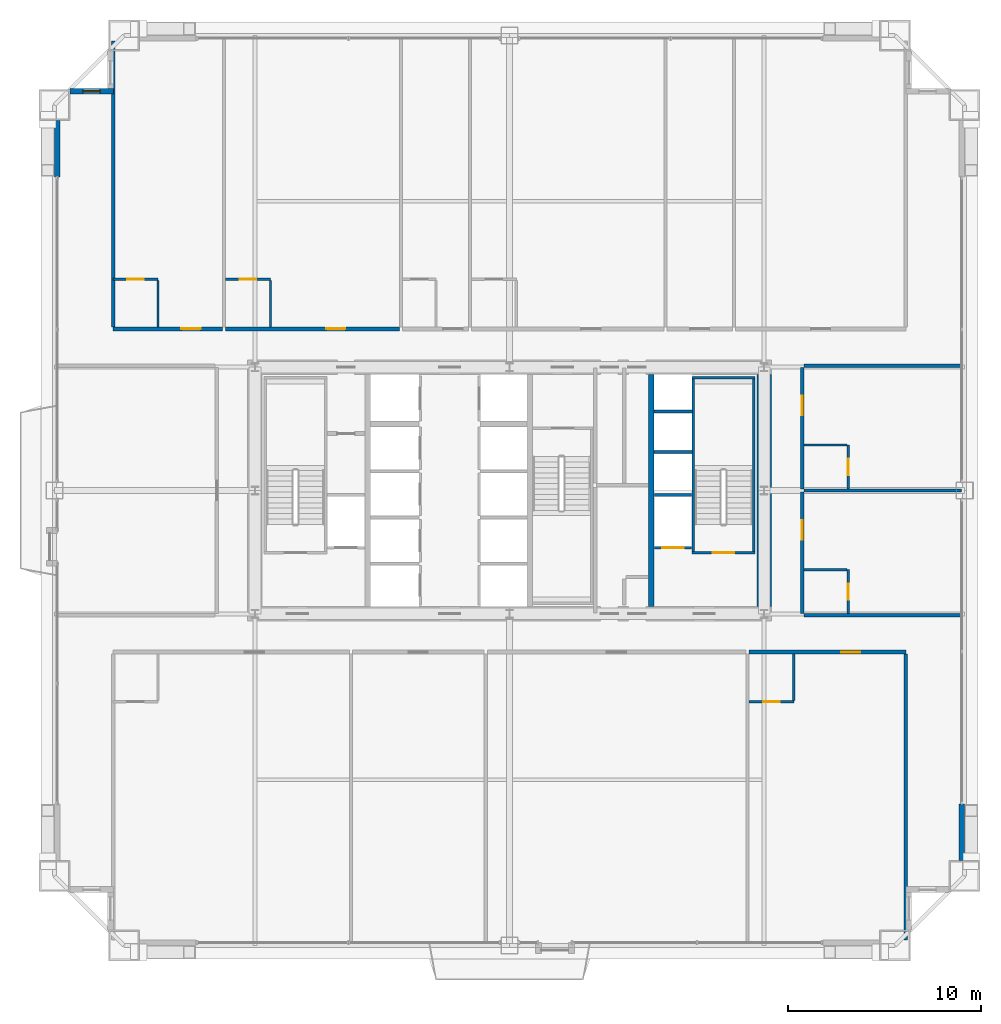
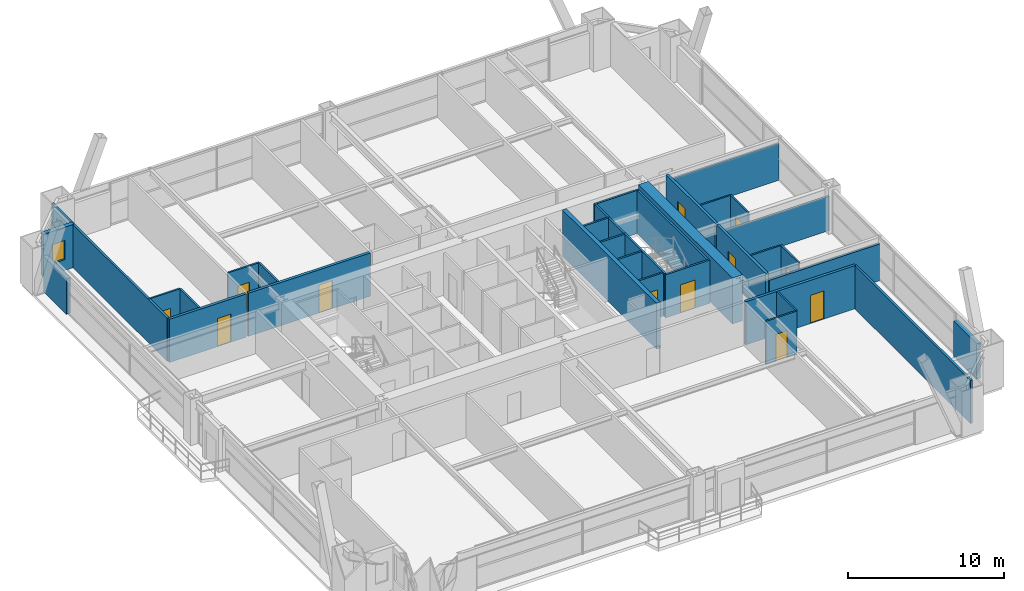
# One storey, part 39 of 41: 33 walls, 12 doors, 1 window, 13 openings.
"""IFC4 building model written with IfcOpenShell, lengths in metres."""

from ifc_helpers import new_model, si_unit, direction, frame, frame_2d, origin, place, context, subcontext, project, spatial, rectangle, extrude, source, transform, mapped, material, layer, layer_set, type_object, element, fill, save


model = new_model("IFC4")

# Units and contexts
model_context = context("Model", 3, precision=1e-05, world=origin(), true_north=direction((0.0, 1.0)))
body_context = subcontext(model_context, "Body", "Model", "MODEL_VIEW")
ifc_project = project(units=[si_unit("LENGTHUNIT", "METRE"), si_unit("AREAUNIT", "SQUARE_METRE"), si_unit("VOLUMEUNIT", "CUBIC_METRE"), si_unit("PLANEANGLEUNIT", "RADIAN"), si_unit("MASSUNIT", "GRAM", prefix="KILO"), si_unit("THERMODYNAMICTEMPERATUREUNIT", "KELVIN"), si_unit("POWERUNIT", "WATT")], contexts=[model_context])

# Site, building, storey
site_placement = place(None, origin())
site = spatial("IfcSite", under=ifc_project, at=site_placement, CompositionType="ELEMENT")
building_placement = place(site_placement, origin())
building = spatial("IfcBuilding", under=site, at=building_placement, Name="Yuzanri Waterfront Tower", CompositionType="ELEMENT")
storey_placement = place(building_placement, frame((0.0, 0.0, 115.39990234375)))
storey = spatial("IfcBuildingStorey", under=building, at=storey_placement, Name="L30", CompositionType="ELEMENT", Elevation=115.39990234375)

# Wall, opening, door
ifc_material_1 = material(Name="Moisture-Resistant Gypsum Stud Wall", Category="gypsum")
ifc_layer_1 = layer(ifc_material_1, 0.1201171875)
ifc_layer_set_1 = layer_set([ifc_layer_1], Name="Moisture-Resistant Gypsum Stud Wall")
wall_type_1 = type_object("IfcWallType", Name="Bathroom and Kitchen Wet Partition 120", PredefinedType="PARTITIONING", material=ifc_layer_set_1)
wall_1_placement = place(storey_placement, frame((49.416015625, 14.840087890625, 0.0), z_axis=(0.0, 0.0, 1.0), x_axis=(1.0, 0.0, 0.0)))
wall_1 = element("IfcWall", 1, at=wall_1_placement, inside=storey, type_object=wall_type_1, Name="L30 Partition UW-L30-S4-BS", PredefinedType="PARTITIONING", context=body_context, shape_type="SweptSolid", body=[
    extrude(rectangle(XDim=2.330078125, YDim=0.1201171875, at=frame_2d((1.1650390625, 0.0))), origin(), (0.0, 0.0, 1.0), 3.380126953125),
])
opening_1_placement = place(wall_1_placement, frame((0.739990234375, 0.0, 0.0)))
opening_1 = element("IfcOpeningElement", 2, at=opening_1_placement, cuts=wall_1, Name="Opening ID-0850", PredefinedType="OPENING", context=body_context, shape_type="SweptSolid", body=[
    extrude(rectangle(XDim=0.85009765625, YDim=2.10009765625, at=frame_2d((0.425048828125, 1.050048828125))), frame((0.0, 0.074951171875, 0.0), z_axis=(0.0, -1.0, 0.0), x_axis=(1.0, 0.0, 0.0)), (0.0, 0.0, 1.0), 0.14990234375),
])
ifc_material_2 = material(Name="Moisture-Resistant Lacquered Timber", Category="wood")
door_type_1 = type_object("IfcDoorType", Name="En-Suite Bathroom and Kitchen Swing Door 850x2100", OperationType="NOTDEFINED", PredefinedType="DOOR", material=ifc_material_2)
shared_shape_1 = source(origin(), body_context, "Body", "SweptSolid", [
    extrude(rectangle(XDim=0.85009765625, YDim=2.10009765625, at=frame_2d((0.425048828125, 1.050048828125))), frame((0.0, 0.02490234375, 0.0), z_axis=(0.0, -1.0, 0.0), x_axis=(1.0, 0.0, 0.0)), (0.0, 0.0, 1.0), 0.050048828125),
])
door_1_placement = place(opening_1_placement, origin())
door_1 = element("IfcDoor", 3, at=door_1_placement, inside=storey, type_object=door_type_1, Name="L30 Guest En-Suite Door", OperationType="SINGLE_SWING_RIGHT", OverallHeight=2.10009765625, OverallWidth=0.85009765625, PredefinedType="DOOR", context=body_context, shape_type="MappedRepresentation", body=[
    mapped(shared_shape_1, transform((0.0, 0.0, 0.0), scale=1.0)),
])
fill(opening_1, door_1)

wall_2_placement = place(storey_placement, frame((16.43994140625, 36.760009765625, 0.0), z_axis=(0.0, 0.0, 1.0), x_axis=(1.0, 0.0, 0.0)))
wall_2 = element("IfcWall", 4, at=wall_2_placement, inside=storey, type_object=wall_type_1, Name="L30 Partition UW-L30-N1-BN", PredefinedType="PARTITIONING", context=body_context, shape_type="SweptSolid", body=[
    extrude(rectangle(XDim=2.330078125, YDim=0.1201171875, at=frame_2d((1.1650390625, 0.0))), origin(), (0.0, 0.0, 1.0), 3.380126953125),
])
opening_2_placement = place(wall_2_placement, frame((0.739990234375, 0.0, 0.0)))
opening_2 = element("IfcOpeningElement", 5, at=opening_2_placement, cuts=wall_2, Name="Opening ID-0850", PredefinedType="OPENING", context=body_context, shape_type="SweptSolid", body=[
    extrude(rectangle(XDim=0.85009765625, YDim=2.10009765625, at=frame_2d((0.425048828125, 1.050048828125))), frame((0.0, 0.074951171875, 0.0), z_axis=(0.0, -1.0, 0.0), x_axis=(1.0, 0.0, 0.0)), (0.0, 0.0, 1.0), 0.14990234375),
])
door_2_placement = place(opening_2_placement, origin())
door_2 = element("IfcDoor", 6, at=door_2_placement, inside=storey, type_object=door_type_1, Name="L30 Guest En-Suite Door", OperationType="SINGLE_SWING_RIGHT", OverallHeight=2.10009765625, OverallWidth=0.85009765625, PredefinedType="DOOR", context=body_context, shape_type="MappedRepresentation", body=[
    mapped(shared_shape_1, transform((0.0, 0.0, 0.0), scale=1.0)),
])
fill(opening_2, door_2)

wall_3_placement = place(storey_placement, frame((22.277099609375, 36.760009765625, 0.0), z_axis=(0.0, 0.0, 1.0), x_axis=(1.0, 0.0, 0.0)))
wall_3 = element("IfcWall", 7, at=wall_3_placement, inside=storey, type_object=wall_type_1, Name="L30 Partition UW-L30-N2-BN", PredefinedType="PARTITIONING", context=body_context, shape_type="SweptSolid", body=[
    extrude(rectangle(XDim=2.329833984375, YDim=0.1201171875, at=frame_2d((1.1650390625, 0.0))), origin(), (0.0, 0.0, 1.0), 3.380126953125),
])
opening_3_placement = place(wall_3_placement, frame((0.739990234375, 0.0, 0.0)))
opening_3 = element("IfcOpeningElement", 8, at=opening_3_placement, cuts=wall_3, Name="Opening ID-0850", PredefinedType="OPENING", context=body_context, shape_type="SweptSolid", body=[
    extrude(rectangle(XDim=0.85009765625, YDim=2.10009765625, at=frame_2d((0.425048828125, 1.050048828125))), frame((0.0, 0.074951171875, 0.0), z_axis=(0.0, -1.0, 0.0), x_axis=(1.0, 0.0, 0.0)), (0.0, 0.0, 1.0), 0.14990234375),
])
door_3_placement = place(opening_3_placement, origin())
door_3 = element("IfcDoor", 9, at=door_3_placement, inside=storey, type_object=door_type_1, Name="L30 Guest En-Suite Door", OperationType="SINGLE_SWING_RIGHT", OverallHeight=2.10009765625, OverallWidth=0.85009765625, PredefinedType="DOOR", context=body_context, shape_type="MappedRepresentation", body=[
    mapped(shared_shape_1, transform((0.0, 0.0, 0.0), scale=1.0)),
])
fill(opening_3, door_3)

wall_4_placement = place(storey_placement, frame((54.56005859375, 19.409912109375, 0.0), z_axis=(0.0, 0.0, 1.0), x_axis=(0.0, 1.0, 0.0)))
wall_4 = element("IfcWall", 10, at=wall_4_placement, inside=storey, type_object=wall_type_1, Name="L30 Partition UW-L30-E1-BE2", PredefinedType="PARTITIONING", context=body_context, shape_type="SweptSolid", body=[
    extrude(rectangle(XDim=2.280029296875, YDim=0.1201171875, at=frame_2d((1.14013671875, 0.0))), origin(), (0.0, 0.0, 1.0), 3.380126953125),
])
opening_4_placement = place(wall_4_placement, frame((0.715087890625, 0.0, 0.0)))
opening_4 = element("IfcOpeningElement", 11, at=opening_4_placement, cuts=wall_4, Name="Opening ID-0850", PredefinedType="OPENING", context=body_context, shape_type="SweptSolid", body=[
    extrude(rectangle(XDim=0.85009765625, YDim=2.10009765625, at=frame_2d((0.425048828125, 1.050048828125))), frame((0.0, 0.074951171875, 0.0), z_axis=(0.0, -1.0, 0.0), x_axis=(1.0, 0.0, 0.0)), (0.0, 0.0, 1.0), 0.14990234375),
])
door_4_placement = place(opening_4_placement, origin())
door_4 = element("IfcDoor", 12, at=door_4_placement, inside=storey, type_object=door_type_1, Name="L30 Guest En-Suite Door", OperationType="SINGLE_SWING_LEFT", OverallHeight=2.10009765625, OverallWidth=0.85009765625, PredefinedType="DOOR", context=body_context, shape_type="MappedRepresentation", body=[
    mapped(shared_shape_1, transform((0.0, 0.0, 0.0), scale=1.0)),
])
fill(opening_4, door_4)

wall_5_placement = place(storey_placement, frame((54.56005859375, 25.8798828125, 0.0), z_axis=(0.0, 0.0, 1.0), x_axis=(0.0, 1.0, 0.0)))
wall_5 = element("IfcWall", 13, at=wall_5_placement, inside=storey, type_object=wall_type_1, Name="L30 Partition UW-L30-E2-BE2", PredefinedType="PARTITIONING", context=body_context, shape_type="SweptSolid", body=[
    extrude(rectangle(XDim=2.280029296875, YDim=0.1201171875, at=frame_2d((1.14013671875, 0.0))), origin(), (0.0, 0.0, 1.0), 3.380126953125),
])
opening_5_placement = place(wall_5_placement, frame((0.715087890625, 0.0, 0.0)))
opening_5 = element("IfcOpeningElement", 14, at=opening_5_placement, cuts=wall_5, Name="Opening ID-0850", PredefinedType="OPENING", context=body_context, shape_type="SweptSolid", body=[
    extrude(rectangle(XDim=0.85009765625, YDim=2.10009765625, at=frame_2d((0.425048828125, 1.050048828125))), frame((0.0, 0.074951171875, 0.0), z_axis=(0.0, -1.0, 0.0), x_axis=(1.0, 0.0, 0.0)), (0.0, 0.0, 1.0), 0.14990234375),
])
door_5_placement = place(opening_5_placement, origin())
door_5 = element("IfcDoor", 15, at=door_5_placement, inside=storey, type_object=door_type_1, Name="L30 Guest En-Suite Door", OperationType="SINGLE_SWING_LEFT", OverallHeight=2.10009765625, OverallWidth=0.85009765625, PredefinedType="DOOR", context=body_context, shape_type="MappedRepresentation", body=[
    mapped(shared_shape_1, transform((0.0, 0.0, 0.0), scale=1.0)),
])
fill(opening_5, door_5)

# Wall, opening, window
ifc_material_3 = material(Name="Honed Chongqing Dark Basalt Stone", Category="masonry")
ifc_layer_2 = layer(ifc_material_3, 0.300048828125)
ifc_layer_set_2 = layer_set([ifc_layer_2], Name="Honed Chongqing Dark Basalt Stone")
wall_type_2 = type_object("IfcWallType", Name="Bronze Rainscreen Insulated Spandrel Portal Wall 300", PredefinedType="SOLIDWALL", material=ifc_layer_set_2)
wall_6_placement = place(storey_placement, frame((16.449951171875, 46.5, 0.0), z_axis=(0.0, 0.0, 1.0), x_axis=(-1.0, 0.0, 0.0)))
wall_6 = element("IfcWall", 16, at=wall_6_placement, inside=storey, type_object=wall_type_2, Name="L30 Notched Corner Masonry Wall NW-X", PredefinedType="SOLIDWALL", context=body_context, shape_type="SweptSolid", body=[
    extrude(rectangle(XDim=2.25, YDim=0.300048828125, at=frame_2d((1.125, 0.0))), origin(), (0.0, 0.0, 1.0), 3.380126953125),
])
opening_6_placement = place(wall_6_placement, frame((0.675048828125, 0.0, 0.85009765625)))
opening_6 = element("IfcOpeningElement", 17, at=opening_6_placement, cuts=wall_6, Name="Opening WN-05", PredefinedType="OPENING", context=body_context, shape_type="SweptSolid", body=[
    extrude(rectangle(XDim=0.89990234375, YDim=1.5, at=frame_2d((0.449951171875, 0.75))), frame((0.0, 0.1650390625, 0.0), z_axis=(0.0, -1.0, 0.0), x_axis=(1.0, 0.0, 0.0)), (0.0, 0.0, 1.0), 0.329833984375),
])
ifc_material_4 = material(Name="Double-Silver Low-E Insulated Glass", Category="glass")
window_type = type_object("IfcWindowType", Name="Anodized Bronze Service and Stairwell Smoke-Vent Window 900x1500", PartitioningType="SINGLE_PANEL", PredefinedType="WINDOW", material=ifc_material_4)
shared_shape_2 = source(origin(), body_context, "Body", "SweptSolid", [
    extrude(rectangle(XDim=0.89990234375, YDim=1.5, at=frame_2d((0.449951171875, 0.75))), frame((0.0, 0.030029296875, 0.0), z_axis=(0.0, -1.0, 0.0), x_axis=(1.0, 0.0, 0.0)), (0.0, 0.0, 1.0), 0.06005859375),
])
window_placement = place(opening_6_placement, origin())
window = element("IfcWindow", 18, at=window_placement, inside=storey, type_object=window_type, Name="L30 Notched Corner Window NW-X", OverallHeight=1.5, OverallWidth=0.89990234375, PartitioningType="SINGLE_PANEL", PredefinedType="WINDOW", context=body_context, shape_type="MappedRepresentation", body=[
    mapped(shared_shape_2, transform((0.0, 0.0, 0.0), scale=1.0)),
])
fill(opening_6, window)

# Wall, opening, door
ifc_material_5 = material(Name="Concrete C40", Category="concrete")
ifc_layer_3 = layer(ifc_material_5, 0.139892578125)
ifc_layer_set_3 = layer_set([ifc_layer_3], Name="Concrete C40")
wall_type_3 = type_object("IfcWallType", Name="Core Stair Liner and Hoistway Shaft Wall 140", PredefinedType="SOLIDWALL", material=ifc_layer_set_3)
wall_7_placement = place(storey_placement, frame((44.52001953125, 22.830078125, 0.0), z_axis=(0.0, 0.0, 1.0), x_axis=(1.0, 0.0, 0.0)))
wall_7 = element("IfcWall", 19, at=wall_7_placement, inside=storey, type_object=wall_type_3, Name="L30 Lift FL-02 Front Shaft Wall", PredefinedType="SOLIDWALL", context=body_context, shape_type="SweptSolid", body=[
    extrude(rectangle(XDim=1.919921875, YDim=0.139892578125, at=frame_2d((0.9599609375, 0.0))), origin(), (0.0, 0.0, 1.0), 3.380126953125),
])
opening_7_placement = place(wall_7_placement, frame((0.409912109375, 0.0, 0.0)))
opening_7 = element("IfcOpeningElement", 20, at=opening_7_placement, cuts=wall_7, Name="Opening LD-FL-02", PredefinedType="OPENING", context=body_context, shape_type="SweptSolid", body=[
    extrude(rectangle(XDim=1.10009765625, YDim=2.199951171875, at=frame_2d((0.550048828125, 1.10009765625))), frame((0.0, 0.0849609375, 0.0), z_axis=(0.0, -1.0, 0.0), x_axis=(1.0, 0.0, 0.0)), (0.0, 0.0, 1.0), 0.169677734375),
])
ifc_material_6 = material(Name="Brushed Bronze and Stainless Steel Cab", Category="steel")
door_type_2 = type_object("IfcDoorType", Name="Center-Parting Bronze Lift Landing Sliding Door 1100x2200", OperationType="NOTDEFINED", PredefinedType="DOOR", material=ifc_material_6)
shared_shape_3 = source(origin(), body_context, "Body", "SweptSolid", [
    extrude(rectangle(XDim=1.10009765625, YDim=2.199951171875, at=frame_2d((0.550048828125, 1.10009765625))), frame((0.0, 0.02490234375, 0.0), z_axis=(0.0, -1.0, 0.0), x_axis=(1.0, 0.0, 0.0)), (0.0, 0.0, 1.0), 0.050048828125),
])
door_6_placement = place(opening_7_placement, origin())
door_6 = element("IfcDoor", 21, at=door_6_placement, inside=storey, type_object=door_type_2, Name="L30 FL-02 Lift Landing Sliding Door", OperationType="SLIDING_TO_RIGHT", OverallHeight=2.199951171875, OverallWidth=1.10009765625, PredefinedType="DOOR", context=body_context, shape_type="MappedRepresentation", body=[
    mapped(shared_shape_3, transform((0.0, 0.0, 0.0), scale=1.0)),
])
fill(opening_7, door_6)

wall_8_placement = place(storey_placement, frame((46.4599609375, 22.570068359375, 0.0), z_axis=(0.0, 0.0, 1.0), x_axis=(1.0, 0.0, 0.0)))
wall_8 = element("IfcWall", 22, at=wall_8_placement, inside=storey, type_object=wall_type_3, Name="L30 Shaft Wall STW-L30-ST-02-S", PredefinedType="SOLIDWALL", context=body_context, shape_type="SweptSolid", body=[
    extrude(rectangle(XDim=3.280029296875, YDim=0.139892578125, at=frame_2d((1.64013671875, 0.0))), origin(), (0.0, 0.0, 1.0), 3.380126953125),
])
opening_8_placement = place(wall_8_placement, frame((1.090087890625, 0.0, 0.0)))
opening_8 = element("IfcOpeningElement", 23, at=opening_8_placement, cuts=wall_8, Name="Opening FD-1100", PredefinedType="OPENING", context=body_context, shape_type="SweptSolid", body=[
    extrude(rectangle(XDim=1.10009765625, YDim=2.199951171875, at=frame_2d((0.550048828125, 1.10009765625))), frame((0.0, 0.0849609375, 0.0), z_axis=(0.0, -1.0, 0.0), x_axis=(1.0, 0.0, 0.0)), (0.0, 0.0, 1.0), 0.169677734375),
])
ifc_material_7 = material(Name="Painted Galvanized Fire Steel", Category="steel")
door_type_3 = type_object("IfcDoorType", Name="Smoke-Proof Stair and Lobby Fire Door 1100x2200", OperationType="NOTDEFINED", PredefinedType="DOOR", material=ifc_material_7)
shared_shape_4 = source(origin(), body_context, "Body", "SweptSolid", [
    extrude(rectangle(XDim=1.10009765625, YDim=2.199951171875, at=frame_2d((0.550048828125, 1.10009765625))), frame((0.0, 0.02490234375, 0.0), z_axis=(0.0, -1.0, 0.0), x_axis=(1.0, 0.0, 0.0)), (0.0, 0.0, 1.0), 0.050048828125),
])
door_7_placement = place(opening_8_placement, origin())
door_7 = element("IfcDoor", 24, at=door_7_placement, inside=storey, type_object=door_type_3, Name="L30 Stair ST-02 Fire Door", OperationType="SINGLE_SWING_RIGHT", OverallHeight=2.199951171875, OverallWidth=1.10009765625, PredefinedType="DOOR", context=body_context, shape_type="MappedRepresentation", body=[
    mapped(shared_shape_4, transform((0.0, 0.0, 0.0), scale=1.0)),
])
fill(opening_8, door_7)

ifc_material_8 = material(Name="Autoclaved Aerated Concrete Blockwork", Category="masonry")
ifc_layer_4 = layer(ifc_material_8, 0.199951171875)
ifc_layer_set_4 = layer_set([ifc_layer_4], Name="Autoclaved Aerated Concrete Blockwork")
wall_type_4 = type_object("IfcWallType", Name="Corridor and Unit Party Fire Wall 200", PredefinedType="PARTITIONING", material=ifc_layer_set_4)
wall_9_placement = place(storey_placement, frame((49.416015625, 17.419921875, 0.0), z_axis=(0.0, 0.0, 1.0), x_axis=(1.0, 0.0, 0.0)))
wall_9 = element("IfcWall", 25, at=wall_9_placement, inside=storey, type_object=wall_type_4, Name="L30 Partition UW-L30-S4-CN", PredefinedType="PARTITIONING", context=body_context, shape_type="SweptSolid", body=[
    extrude(rectangle(XDim=8.14404296875, YDim=0.199951171875, at=frame_2d((4.072021484375, 0.0))), origin(), (0.0, 0.0, 1.0), 3.380126953125),
])
opening_9_placement = place(wall_9_placement, frame((4.777099609375, 0.0, 0.0)))
opening_9 = element("IfcOpeningElement", 26, at=opening_9_placement, cuts=wall_9, Name="Opening FD-1000", PredefinedType="OPENING", context=body_context, shape_type="SweptSolid", body=[
    extrude(rectangle(XDim=1.0, YDim=2.199951171875, at=frame_2d((0.5, 1.10009765625))), frame((0.0, 0.11474609375, 0.0), z_axis=(0.0, -1.0, 0.0), x_axis=(1.0, 0.0, 0.0)), (0.0, 0.0, 1.0), 0.229736328125),
])
ifc_material_9 = material(Name="Engineered Oak Fire-Rated Timber", Category="wood")
door_type_4 = type_object("IfcDoorType", Name="Guestroom and Apartment Entrance Fire Door 1000x2200", OperationType="NOTDEFINED", PredefinedType="DOOR", material=ifc_material_9)
shared_shape_5 = source(origin(), body_context, "Body", "SweptSolid", [
    extrude(rectangle(XDim=1.0, YDim=2.199951171875, at=frame_2d((0.5, 1.10009765625))), frame((0.0, 0.02490234375, 0.0), z_axis=(0.0, -1.0, 0.0), x_axis=(1.0, 0.0, 0.0)), (0.0, 0.0, 1.0), 0.050048828125),
])
door_8_placement = place(opening_9_placement, origin())
door_8 = element("IfcDoor", 27, at=door_8_placement, inside=storey, type_object=door_type_4, Name="L30 Grand Riverview Suite Entrance Door", OperationType="SINGLE_SWING_LEFT", OverallHeight=2.199951171875, OverallWidth=1.0, PredefinedType="DOOR", context=body_context, shape_type="MappedRepresentation", body=[
    mapped(shared_shape_5, transform((0.0, 0.0, 0.0), scale=1.0)),
])
fill(opening_9, door_8)

wall_10_placement = place(storey_placement, frame((16.43994140625, 34.179931640625, 0.0), z_axis=(0.0, 0.0, 1.0), x_axis=(1.0, 0.0, 0.0)))
wall_10 = element("IfcWall", 28, at=wall_10_placement, inside=storey, type_object=wall_type_4, Name="L30 Partition UW-L30-N1-CS", PredefinedType="PARTITIONING", context=body_context, shape_type="SweptSolid", body=[
    extrude(rectangle(XDim=5.677001953125, YDim=0.199951171875, at=frame_2d((2.83837890625, 0.0))), origin(), (0.0, 0.0, 1.0), 3.380126953125),
])
opening_10_placement = place(wall_10_placement, frame((3.54296875, 0.0, 0.0)))
opening_10 = element("IfcOpeningElement", 29, at=opening_10_placement, cuts=wall_10, Name="Opening FD-1000", PredefinedType="OPENING", context=body_context, shape_type="SweptSolid", body=[
    extrude(rectangle(XDim=1.0, YDim=2.199951171875, at=frame_2d((0.5, 1.10009765625))), frame((0.0, 0.11474609375, 0.0), z_axis=(0.0, -1.0, 0.0), x_axis=(1.0, 0.0, 0.0)), (0.0, 0.0, 1.0), 0.229736328125),
])
door_9_placement = place(opening_10_placement, origin())
door_9 = element("IfcDoor", 30, at=door_9_placement, inside=storey, type_object=door_type_4, Name="L30 Executive Suite Entrance Door", OperationType="SINGLE_SWING_LEFT", OverallHeight=2.199951171875, OverallWidth=1.0, PredefinedType="DOOR", context=body_context, shape_type="MappedRepresentation", body=[
    mapped(shared_shape_5, transform((0.0, 0.0, 0.0), scale=1.0)),
])
fill(opening_10, door_9)

wall_11_placement = place(storey_placement, frame((22.277099609375, 34.179931640625, 0.0), z_axis=(0.0, 0.0, 1.0), x_axis=(1.0, 0.0, 0.0)))
wall_11 = element("IfcWall", 31, at=wall_11_placement, inside=storey, type_object=wall_type_4, Name="L30 Partition UW-L30-N2-CS", PredefinedType="PARTITIONING", context=body_context, shape_type="SweptSolid", body=[
    extrude(rectangle(XDim=9.02294921875, YDim=0.199951171875, at=frame_2d((4.511474609375, 0.0))), origin(), (0.0, 0.0, 1.0), 3.380126953125),
])
opening_11_placement = place(wall_11_placement, frame((5.217041015625, 0.0, 0.0)))
opening_11 = element("IfcOpeningElement", 32, at=opening_11_placement, cuts=wall_11, Name="Opening FD-1000", PredefinedType="OPENING", context=body_context, shape_type="SweptSolid", body=[
    extrude(rectangle(XDim=1.0, YDim=2.199951171875, at=frame_2d((0.5, 1.10009765625))), frame((0.0, 0.11474609375, 0.0), z_axis=(0.0, -1.0, 0.0), x_axis=(1.0, 0.0, 0.0)), (0.0, 0.0, 1.0), 0.229736328125),
])
door_10_placement = place(opening_11_placement, origin())
door_10 = element("IfcDoor", 33, at=door_10_placement, inside=storey, type_object=door_type_4, Name="L30 Executive Suite Entrance Door", OperationType="SINGLE_SWING_LEFT", OverallHeight=2.199951171875, OverallWidth=1.0, PredefinedType="DOOR", context=body_context, shape_type="MappedRepresentation", body=[
    mapped(shared_shape_5, transform((0.0, 0.0, 0.0), scale=1.0)),
])
fill(opening_11, door_10)

wall_12_placement = place(storey_placement, frame((52.179931640625, 19.409912109375, 0.0), z_axis=(0.0, 0.0, 1.0), x_axis=(0.0, 1.0, 0.0)))
wall_12 = element("IfcWall", 34, at=wall_12_placement, inside=storey, type_object=wall_type_4, Name="L30 Partition UW-L30-E1-CW", PredefinedType="PARTITIONING", context=body_context, shape_type="SweptSolid", body=[
    extrude(rectangle(XDim=6.31005859375, YDim=0.199951171875, at=frame_2d((3.155029296875, 0.0))), origin(), (0.0, 0.0, 1.0), 3.380126953125),
])
opening_12_placement = place(wall_12_placement, frame((3.8349609375, 0.0, 0.0)))
opening_12 = element("IfcOpeningElement", 35, at=opening_12_placement, cuts=wall_12, Name="Opening FD-1000", PredefinedType="OPENING", context=body_context, shape_type="SweptSolid", body=[
    extrude(rectangle(XDim=1.0, YDim=2.199951171875, at=frame_2d((0.5, 1.10009765625))), frame((0.0, 0.11474609375, 0.0), z_axis=(0.0, -1.0, 0.0), x_axis=(1.0, 0.0, 0.0)), (0.0, 0.0, 1.0), 0.229736328125),
])
door_11_placement = place(opening_12_placement, origin())
door_11 = element("IfcDoor", 36, at=door_11_placement, inside=storey, type_object=door_type_4, Name="L30 East Guest Room Entrance Door", OperationType="SINGLE_SWING_RIGHT", OverallHeight=2.199951171875, OverallWidth=1.0, PredefinedType="DOOR", context=body_context, shape_type="MappedRepresentation", body=[
    mapped(shared_shape_5, transform((0.0, 0.0, 0.0), scale=1.0)),
])
fill(opening_12, door_11)

wall_13_placement = place(storey_placement, frame((52.179931640625, 25.8798828125, 0.0), z_axis=(0.0, 0.0, 1.0), x_axis=(0.0, 1.0, 0.0)))
wall_13 = element("IfcWall", 37, at=wall_13_placement, inside=storey, type_object=wall_type_4, Name="L30 Partition UW-L30-E2-CW", PredefinedType="PARTITIONING", context=body_context, shape_type="SweptSolid", body=[
    extrude(rectangle(XDim=6.31005859375, YDim=0.199951171875, at=frame_2d((3.155029296875, 0.0))), origin(), (0.0, 0.0, 1.0), 3.380126953125),
])
opening_13_placement = place(wall_13_placement, frame((3.8349609375, 0.0, 0.0)))
opening_13 = element("IfcOpeningElement", 38, at=opening_13_placement, cuts=wall_13, Name="Opening FD-1000", PredefinedType="OPENING", context=body_context, shape_type="SweptSolid", body=[
    extrude(rectangle(XDim=1.0, YDim=2.199951171875, at=frame_2d((0.5, 1.10009765625))), frame((0.0, 0.11474609375, 0.0), z_axis=(0.0, -1.0, 0.0), x_axis=(1.0, 0.0, 0.0)), (0.0, 0.0, 1.0), 0.229736328125),
])
door_12_placement = place(opening_13_placement, origin())
door_12 = element("IfcDoor", 39, at=door_12_placement, inside=storey, type_object=door_type_4, Name="L30 East Guest Room Entrance Door", OperationType="SINGLE_SWING_RIGHT", OverallHeight=2.199951171875, OverallWidth=1.0, PredefinedType="DOOR", context=body_context, shape_type="MappedRepresentation", body=[
    mapped(shared_shape_5, transform((0.0, 0.0, 0.0), scale=1.0)),
])
fill(opening_13, door_12)

# Walls
ifc_material_10 = material(Name="Concrete C55", Category="concrete")
ifc_layer_5 = layer(ifc_material_10, 0.75)
ifc_layer_set_5 = layer_set([ifc_layer_5], Name="Concrete C55")
wall_type_5 = type_object("IfcWallType", Name="Concrete C55 Low-Mid Zone Core Shear Wall 750", PredefinedType="SHEAR", material=ifc_layer_set_5)
shared_shape_6 = source(origin(), body_context, "Body", "SweptSolid", [
    extrude(rectangle(XDim=12.050048828125, YDim=0.75, at=frame_2d((6.02490234375, 0.0))), origin(), (0.0, 0.0, 1.0), 3.60009765625),
])
wall_14_placement = place(storey_placement, frame((50.199951171875, 19.77490234375, 0.0), z_axis=(0.0, 0.0, 1.0), x_axis=(0.0, 1.0, 0.0)))
element("IfcWall", 40, at=wall_14_placement, inside=storey, type_object=wall_type_5, Name="L30 Core East Shear Wall", PredefinedType="SHEAR", context=body_context, shape_type="MappedRepresentation", body=[
    mapped(shared_shape_6, transform((0.0, 0.0, 0.0), scale=1.0)),
])
ifc_material_11 = material(Name="Concrete C50", Category="concrete")
ifc_layer_6 = layer(ifc_material_11, 0.300048828125)
ifc_layer_set_6 = layer_set([ifc_layer_6], Name="Concrete C50")
wall_type_6 = type_object("IfcWallType", Name="Concrete C50 Internal Core Shaft Structural Wall 300", PredefinedType="SOLIDWALL", material=ifc_layer_set_6)
shared_shape_7 = source(origin(), body_context, "Body", "SweptSolid", [
    extrude(rectangle(XDim=12.050048828125, YDim=0.300048828125, at=frame_2d((6.02490234375, 0.0))), origin(), (0.0, 0.0, 1.0), 3.60009765625),
])
wall_15_placement = place(storey_placement, frame((44.35009765625, 19.77490234375, 0.0), z_axis=(0.0, 0.0, 1.0), x_axis=(0.0, 1.0, 0.0)))
element("IfcWall", 41, at=wall_15_placement, inside=storey, type_object=wall_type_6, Name="L30 Core Internal Structural Web Wall 3", PredefinedType="SOLIDWALL", context=body_context, shape_type="MappedRepresentation", body=[
    mapped(shared_shape_7, transform((0.0, 0.0, 0.0), scale=1.0)),
])
shared_shape_8 = source(origin(), body_context, "Body", "SweptSolid", [
    extrude(rectangle(XDim=2.949951171875, YDim=0.300048828125, at=frame_2d((1.47509765625, 0.0))), origin(), (0.0, 0.0, 1.0), 2.775146484375),
])
for number, where, z_axis, x_axis, name in (
    (42, (13.550048828125, 42.050048828125, 0.0), (0.0, 0.0, 1.0), (0.0, 1.0, 0.0), "L30 W Right Braced Masonry Shoulder"),
    (43, (60.449951171875, 6.60009765625, 0.0), (0.0, 0.0, 1.0), (0.0, 1.0, 0.0), "L30 E Left Braced Masonry Shoulder"),
):
    element("IfcWall", number, at=place(storey_placement, frame(where, z_axis=z_axis, x_axis=x_axis)), inside=storey, type_object=wall_type_2, Name=name, PredefinedType="SOLIDWALL", context=body_context, shape_type="MappedRepresentation", body=[
        mapped(shared_shape_8, transform((0.0, 0.0, 0.0), scale=1.0)),
    ])
shared_shape_9 = source(origin(), body_context, "Body", "SweptSolid", [
    extrude(rectangle(XDim=1.919921875, YDim=0.139892578125, at=frame_2d((0.9599609375, 0.0))), origin(), (0.0, 0.0, 1.0), 3.380126953125),
])
wall_16_placement = place(storey_placement, frame((44.52001953125, 25.570068359375, 0.0), z_axis=(0.0, 0.0, 1.0), x_axis=(1.0, 0.0, 0.0)))
element("IfcWall", 44, at=wall_16_placement, inside=storey, type_object=wall_type_3, Name="L30 Lift FL-02 Back Shaft Wall", PredefinedType="SOLIDWALL", context=body_context, shape_type="MappedRepresentation", body=[
    mapped(shared_shape_9, transform((0.0, 0.0, 0.0), scale=1.0)),
])
shared_shape_10 = source(origin(), body_context, "Body", "SweptSolid", [
    extrude(rectangle(XDim=2.0, YDim=0.139892578125, at=frame_2d((1.0, 0.0))), origin(), (0.0, 0.0, 1.0), 3.380126953125),
])
for number, where, z_axis, x_axis, name in (
    (45, (44.5, 27.800048828125, 0.0), (0.0, 0.0, 1.0), (1.0, 0.0, 0.0), "L30 Lift PL-09 Divider Wall"),
    (46, (44.5, 29.89990234375, 0.0), (0.0, 0.0, 1.0), (1.0, 0.0, 0.0), "L30 Lift PL-10 Divider Wall"),
):
    element("IfcWall", number, at=place(storey_placement, frame(where, z_axis=z_axis, x_axis=x_axis)), inside=storey, type_object=wall_type_3, Name=name, PredefinedType="SOLIDWALL", context=body_context, shape_type="MappedRepresentation", body=[
        mapped(shared_shape_10, transform((0.0, 0.0, 0.0), scale=1.0)),
    ])
shared_shape_11 = source(origin(), body_context, "Body", "SweptSolid", [
    extrude(rectangle(XDim=3.280029296875, YDim=0.139892578125, at=frame_2d((1.64013671875, 0.0))), origin(), (0.0, 0.0, 1.0), 3.380126953125),
])
wall_17_placement = place(storey_placement, frame((46.4599609375, 31.64990234375, 0.0), z_axis=(0.0, 0.0, 1.0), x_axis=(1.0, 0.0, 0.0)))
element("IfcWall", 47, at=wall_17_placement, inside=storey, type_object=wall_type_3, Name="L30 Stair ST-02 North Shaft Wall", PredefinedType="SOLIDWALL", context=body_context, shape_type="MappedRepresentation", body=[
    mapped(shared_shape_11, transform((0.0, 0.0, 0.0), scale=1.0)),
])
shared_shape_12 = source(origin(), body_context, "Body", "SweptSolid", [
    extrude(rectangle(XDim=8.940185546875, YDim=0.139892578125, at=frame_2d((4.47021484375, 0.0))), origin(), (0.0, 0.0, 1.0), 3.380126953125),
])
for number, where, z_axis, x_axis, name in (
    (48, (46.530029296875, 22.639892578125, 0.0), (0.0, 0.0, 1.0), (0.0, 1.0, 0.0), "L30 Stair ST-02 West Shaft Wall"),
    (49, (49.669921875, 22.639892578125, 0.0), (0.0, 0.0, 1.0), (0.0, 1.0, 0.0), "L30 Stair ST-02 East Shaft Wall"),
):
    element("IfcWall", number, at=place(storey_placement, frame(where, z_axis=z_axis, x_axis=x_axis)), inside=storey, type_object=wall_type_3, Name=name, PredefinedType="SOLIDWALL", context=body_context, shape_type="MappedRepresentation", body=[
        mapped(shared_shape_12, transform((0.0, 0.0, 0.0), scale=1.0)),
    ])
shared_shape_13 = source(origin(), body_context, "Body", "SweptSolid", [
    extrude(rectangle(XDim=2.420166015625, YDim=0.1201171875, at=frame_2d((1.2099609375, 0.0))), origin(), (0.0, 0.0, 1.0), 3.380126953125),
])
wall_18_placement = place(storey_placement, frame((51.74609375, 14.89990234375, 0.0), z_axis=(0.0, 0.0, 1.0), x_axis=(0.0, 1.0, 0.0)))
element("IfcWall", 50, at=wall_18_placement, inside=storey, type_object=wall_type_1, Name="L30-S4 En-Suite Side Wall", PredefinedType="PARTITIONING", context=body_context, shape_type="MappedRepresentation", body=[
    mapped(shared_shape_13, transform((0.0, 0.0, 0.0), scale=1.0)),
])
shared_shape_14 = source(origin(), body_context, "Body", "SweptSolid", [
    extrude(rectangle(XDim=2.419921875, YDim=0.1201171875, at=frame_2d((1.2099609375, 0.0))), origin(), (0.0, 0.0, 1.0), 3.380126953125),
])
for number, where, z_axis, x_axis, name in (
    (51, (18.77001953125, 34.280029296875, 0.0), (0.0, 0.0, 1.0), (0.0, 1.0, 0.0), "L30-N1 En-Suite Side Wall"),
    (52, (24.60693359375, 34.280029296875, 0.0), (0.0, 0.0, 1.0), (0.0, 1.0, 0.0), "L30-N2 En-Suite Side Wall"),
):
    element("IfcWall", number, at=place(storey_placement, frame(where, z_axis=z_axis, x_axis=x_axis)), inside=storey, type_object=wall_type_1, Name=name, PredefinedType="PARTITIONING", context=body_context, shape_type="MappedRepresentation", body=[
        mapped(shared_shape_14, transform((0.0, 0.0, 0.0), scale=1.0)),
    ])
shared_shape_15 = source(origin(), body_context, "Body", "SweptSolid", [
    extrude(rectangle(XDim=2.219970703125, YDim=0.1201171875, at=frame_2d((1.10986328125, 0.0))), origin(), (0.0, 0.0, 1.0), 3.380126953125),
])
for number, where, z_axis, x_axis, name in (
    (53, (52.280029296875, 21.68994140625, 0.0), (0.0, 0.0, 1.0), (1.0, 0.0, 0.0), "L30-E1 En-Suite Top Wall"),
    (54, (52.280029296875, 28.159912109375, 0.0), (0.0, 0.0, 1.0), (1.0, 0.0, 0.0), "L30-E2 En-Suite Top Wall"),
):
    element("IfcWall", number, at=place(storey_placement, frame(where, z_axis=z_axis, x_axis=x_axis)), inside=storey, type_object=wall_type_1, Name=name, PredefinedType="PARTITIONING", context=body_context, shape_type="MappedRepresentation", body=[
        mapped(shared_shape_15, transform((0.0, 0.0, 0.0), scale=1.0)),
    ])
ifc_material_12 = material(Name="Gypsum Fireboard Acoustic Stud Wall", Category="gypsum")
ifc_layer_7 = layer(ifc_material_12, 0.159912109375)
ifc_layer_set_7 = layer_set([ifc_layer_7], Name="Gypsum Fireboard Acoustic Stud Wall")
wall_type_7 = type_object("IfcWallType", Name="Acoustic Suite Demising Partition 160", PredefinedType="PARTITIONING", material=ifc_layer_set_7)
shared_shape_16 = source(origin(), body_context, "Body", "SweptSolid", [
    extrude(rectangle(XDim=14.820068359375, YDim=0.159912109375, at=frame_2d((7.41015625, 0.0))), origin(), (0.0, 0.0, 1.0), 3.380126953125),
])
for number, where, z_axis, x_axis, name in (
    (55, (57.550048828125, 2.5, 0.0), (0.0, 0.0, 1.0), (0.0, 1.0, 0.0), "L30 South Band East End Wall"),
    (56, (16.449951171875, 34.280029296875, 0.0), (0.0, 0.0, 1.0), (0.0, 1.0, 0.0), "L30 North Band West End Wall"),
):
    element("IfcWall", number, at=place(storey_placement, frame(where, z_axis=z_axis, x_axis=x_axis)), inside=storey, type_object=wall_type_7, Name=name, PredefinedType="PARTITIONING", context=body_context, shape_type="MappedRepresentation", body=[
        mapped(shared_shape_16, transform((0.0, 0.0, 0.0), scale=1.0)),
    ])
shared_shape_17 = source(origin(), body_context, "Body", "SweptSolid", [
    extrude(rectangle(XDim=8.169921875, YDim=0.159912109375, at=frame_2d((4.0849609375, 0.0))), origin(), (0.0, 0.0, 1.0), 2.675048828125),
])
wall_19_placement = place(storey_placement, frame((52.280029296875, 25.800048828125, 0.0), z_axis=(0.0, 0.0, 1.0), x_axis=(1.0, 0.0, 0.0)))
element("IfcWall", 57, at=wall_19_placement, inside=storey, type_object=wall_type_7, Name="L30-E1 Wing Party Wall", PredefinedType="PARTITIONING", context=body_context, shape_type="MappedRepresentation", body=[
    mapped(shared_shape_17, transform((0.0, 0.0, 0.0), scale=1.0)),
])
shared_shape_18 = source(origin(), body_context, "Body", "SweptSolid", [
    extrude(rectangle(XDim=8.169921875, YDim=0.159912109375, at=frame_2d((4.0849609375, 0.0))), origin(), (0.0, 0.0, 1.0), 2.875),
])
for number, where, z_axis, x_axis, name in (
    (58, (52.280029296875, 19.330078125, 0.0), (0.0, 0.0, 1.0), (1.0, 0.0, 0.0), "L30-E1 Wing South End Wall"),
    (59, (52.280029296875, 32.27001953125, 0.0), (0.0, 0.0, 1.0), (1.0, 0.0, 0.0), "L30-E2 Wing North End Wall"),
):
    element("IfcWall", number, at=place(storey_placement, frame(where, z_axis=z_axis, x_axis=x_axis)), inside=storey, type_object=wall_type_7, Name=name, PredefinedType="PARTITIONING", context=body_context, shape_type="MappedRepresentation", body=[
        mapped(shared_shape_18, transform((0.0, 0.0, 0.0), scale=1.0)),
    ])

save(model, "model.ifc")
